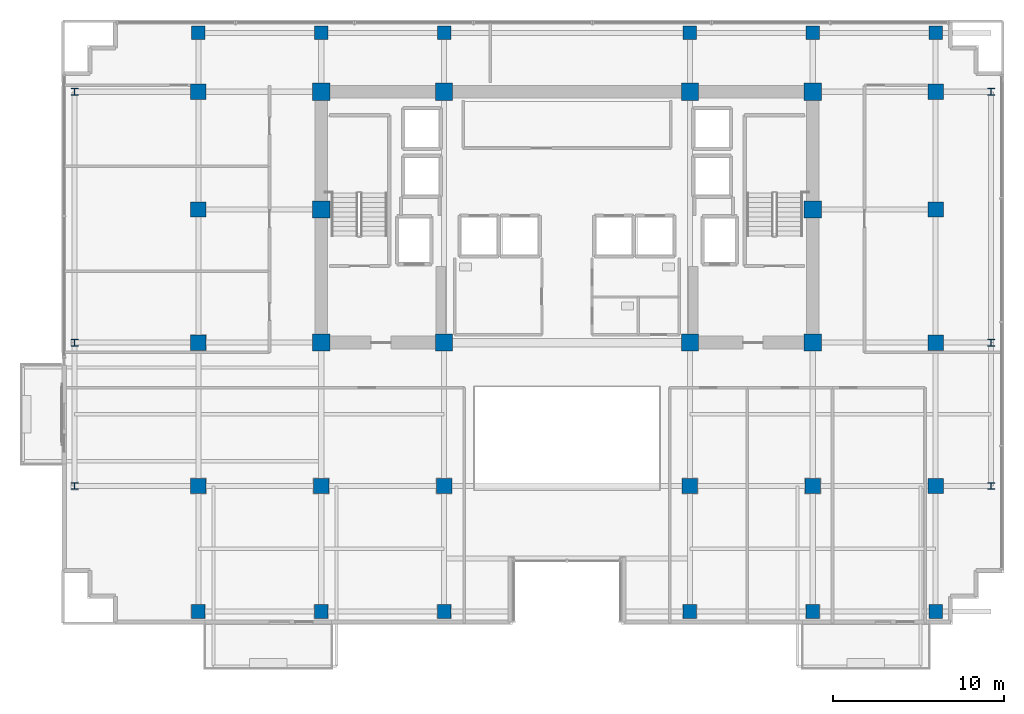
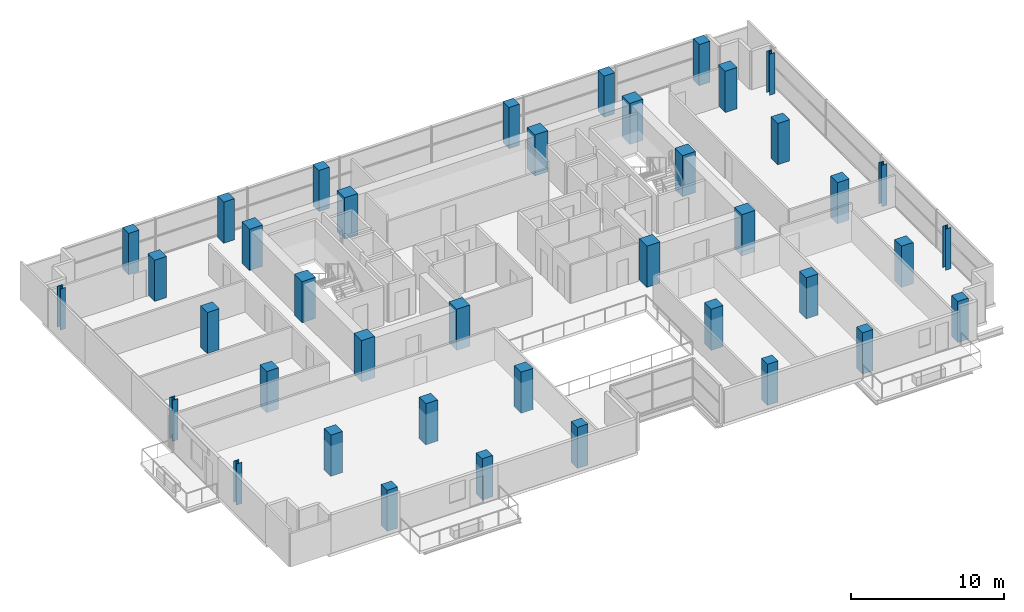
# One storey, part 1 of 28: 40 columns.
"""IFC4 building model written with IfcOpenShell, lengths in metres."""

from ifc_helpers import new_model, si_unit, direction, frame, origin, origin_2d, place, context, subcontext, project, spatial, rectangle, i_section, extrude, material, material_profile, profile_set, type_object, element, save


model = new_model("IFC4")

# Units and contexts
model_context = context("Model", 3, precision=1e-05, world=origin(), true_north=direction((0.0, 1.0)))
body_context = subcontext(model_context, "Body", "Model", "MODEL_VIEW")
ifc_project = project(units=[si_unit("LENGTHUNIT", "METRE"), si_unit("AREAUNIT", "SQUARE_METRE"), si_unit("VOLUMEUNIT", "CUBIC_METRE"), si_unit("PLANEANGLEUNIT", "RADIAN"), si_unit("MASSUNIT", "GRAM", prefix="KILO")], contexts=[model_context])

# Site, building, storey
site_placement = place(None, origin())
site = spatial("IfcSite", under=ifc_project, at=site_placement, CompositionType="ELEMENT")
building_placement = place(site_placement, origin())
building = spatial("IfcBuilding", under=site, at=building_placement, Name="Zarnakvel Exchange Tower", CompositionType="ELEMENT")
storey_placement = place(building_placement, frame((0.0, 0.0, 109.89990234375)))
storey = spatial("IfcBuildingStorey", under=building, at=storey_placement, Name="L30", CompositionType="ELEMENT", Elevation=109.89990234375)

# Columns
ifc_material_1 = material(Name="Concrete C60/75", Category="concrete")
ifc_material_profile_1 = material_profile(ifc_material_1, rectangle(XDim=1.0, YDim=1.0, at=origin_2d()))
ifc_profile_set_1 = profile_set([ifc_material_profile_1], Name="Concrete C60/75")
column_type_1 = type_object("IfcColumnType", Name="CC-02", PredefinedType="COLUMN", material=ifc_profile_set_1)
for number, where, z_axis, x_axis, name in (
    (1, (-14.39990234375, -1.199951171875, 0.0), (0.0, 0.0, 1.0), (1.0, 0.0, 0.0), "L30 Column C-4D (CC-02)"),
    (2, (-7.199951171875, -1.199951171875, 0.0), (0.0, 0.0, 1.0), (1.0, 0.0, 0.0), "L30 Column C-5D (CC-02)"),
    (3, (7.199951171875, -1.199951171875, 0.0), (0.0, 0.0, 1.0), (1.0, 0.0, 0.0), "L30 Column C-8D (CC-02)"),
    (4, (14.39990234375, -1.199951171875, 0.0), (0.0, 0.0, 1.0), (1.0, 0.0, 0.0), "L30 Column C-9D (CC-02)"),
    (5, (-14.39990234375, 6.60009765625, 0.0), (0.0, 0.0, 1.0), (1.0, 0.0, 0.0), "L30 Column C-4E (CC-02)"),
    (6, (14.39990234375, 6.60009765625, 0.0), (0.0, 0.0, 1.0), (1.0, 0.0, 0.0), "L30 Column C-9E (CC-02)"),
    (7, (-14.39990234375, 13.5, 0.0), (0.0, 0.0, 1.0), (1.0, 0.0, 0.0), "L30 Column C-4F (CC-02)"),
    (8, (-7.199951171875, 13.5, 0.0), (0.0, 0.0, 1.0), (1.0, 0.0, 0.0), "L30 Column C-5F (CC-02)"),
    (9, (7.199951171875, 13.5, 0.0), (0.0, 0.0, 1.0), (1.0, 0.0, 0.0), "L30 Column C-8F (CC-02)"),
    (10, (14.39990234375, 13.5, 0.0), (0.0, 0.0, 1.0), (1.0, 0.0, 0.0), "L30 Column C-9F (CC-02)"),
):
    element("IfcColumn", number, at=place(storey_placement, frame(where, z_axis=z_axis, x_axis=x_axis)), inside=storey, type_object=column_type_1, Name=name, PredefinedType="COLUMN", context=body_context, shape_type="SweptSolid", body=[
        extrude(rectangle(XDim=1.0, YDim=1.0, at=origin_2d()), origin(), (0.0, 0.0, 1.0), 3.300048828125),
    ])
ifc_material_2 = material(Name="Steel S355", Category="steel")
ifc_material_profile_2 = material_profile(ifc_material_2, i_section(OverallWidth=0.404052734375, OverallDepth=0.406982421875, WebThickness=0.0224609375, FlangeThickness=0.031982421875, FilletRadius=0.014892578125, at=origin_2d()))
ifc_profile_set_2 = profile_set([ifc_material_profile_2], Name="Steel S355")
column_type_2 = type_object("IfcColumnType", Name="SC-02", PredefinedType="COLUMN", material=ifc_profile_set_2)
for number, where, z_axis, x_axis, name in (
    (11, (-28.85009765625, -9.60009765625, 0.0), (0.0, 0.0, 1.0), (1.0, 0.0, 0.0), "L30 Column TW-C (SC-02)"),
    (12, (24.85009765625, -9.60009765625, 0.0), (0.0, 0.0, 1.0), (1.0, 0.0, 0.0), "L30 Column TE-C (SC-02)"),
    (13, (-28.85009765625, -1.199951171875, 0.0), (0.0, 0.0, 1.0), (1.0, 0.0, 0.0), "L30 Column TW-D (SC-02)"),
    (14, (24.85009765625, -1.199951171875, 0.0), (0.0, 0.0, 1.0), (1.0, 0.0, 0.0), "L30 Column TE-D (SC-02)"),
    (15, (-28.85009765625, 13.5, 0.0), (0.0, 0.0, 1.0), (1.0, 0.0, 0.0), "L30 Column TW-F (SC-02)"),
    (16, (24.85009765625, 13.5, 0.0), (0.0, 0.0, 1.0), (1.0, 0.0, 0.0), "L30 Column TE-F (SC-02)"),
):
    element("IfcColumn", number, at=place(storey_placement, frame(where, z_axis=z_axis, x_axis=x_axis)), inside=storey, type_object=column_type_2, Name=name, PredefinedType="COLUMN", context=body_context, shape_type="SweptSolid", body=[
        extrude(i_section(OverallWidth=0.404052734375, OverallDepth=0.406982421875, WebThickness=0.0224609375, FlangeThickness=0.031982421875, FilletRadius=0.014892578125, at=origin_2d()), origin(), (0.0, 0.0, 1.0), 3.300048828125),
    ])
ifc_material_profile_3 = material_profile(ifc_material_1, rectangle(XDim=0.89990234375, YDim=0.89990234375, at=origin_2d()))
ifc_profile_set_3 = profile_set([ifc_material_profile_3], Name="Concrete C60/75")
column_type_3 = type_object("IfcColumnType", Name="TC-02", PredefinedType="COLUMN", material=ifc_profile_set_3)
for number, where, z_axis, x_axis, name in (
    (17, (-14.39990234375, -9.60009765625, 0.0), (0.0, 0.0, 1.0), (1.0, 0.0, 0.0), "L30 Column T-4C (TC-02)"),
    (18, (-7.199951171875, -9.60009765625, 0.0), (0.0, 0.0, 1.0), (1.0, 0.0, 0.0), "L30 Column T-5C (TC-02)"),
    (19, (7.199951171875, -9.60009765625, 0.0), (0.0, 0.0, 1.0), (1.0, 0.0, 0.0), "L30 Column T-8C (TC-02)"),
    (20, (14.39990234375, -9.60009765625, 0.0), (0.0, 0.0, 1.0), (1.0, 0.0, 0.0), "L30 Column T-9C (TC-02)"),
    (21, (-21.60009765625, -9.60009765625, 0.0), (0.0, 0.0, 1.0), (1.0, 0.0, 0.0), "L30 Column T-3C (TC-02)"),
    (22, (-21.60009765625, -1.199951171875, 0.0), (0.0, 0.0, 1.0), (1.0, 0.0, 0.0), "L30 Column T-3D (TC-02)"),
    (23, (-21.60009765625, 6.60009765625, 0.0), (0.0, 0.0, 1.0), (1.0, 0.0, 0.0), "L30 Column T-3E (TC-02)"),
    (24, (-21.60009765625, 13.5, 0.0), (0.0, 0.0, 1.0), (1.0, 0.0, 0.0), "L30 Column T-3F (TC-02)"),
    (25, (21.60009765625, -9.60009765625, 0.0), (0.0, 0.0, 1.0), (1.0, 0.0, 0.0), "L30 Column T-10C (TC-02)"),
    (26, (21.60009765625, -1.199951171875, 0.0), (0.0, 0.0, 1.0), (1.0, 0.0, 0.0), "L30 Column T-10D (TC-02)"),
    (27, (21.60009765625, 6.60009765625, 0.0), (0.0, 0.0, 1.0), (1.0, 0.0, 0.0), "L30 Column T-10E (TC-02)"),
    (28, (21.60009765625, 13.5, 0.0), (0.0, 0.0, 1.0), (1.0, 0.0, 0.0), "L30 Column T-10F (TC-02)"),
):
    element("IfcColumn", number, at=place(storey_placement, frame(where, z_axis=z_axis, x_axis=x_axis)), inside=storey, type_object=column_type_3, Name=name, PredefinedType="COLUMN", context=body_context, shape_type="SweptSolid", body=[
        extrude(rectangle(XDim=0.89990234375, YDim=0.89990234375, at=origin_2d()), origin(), (0.0, 0.0, 1.0), 3.300048828125),
    ])
ifc_material_profile_4 = material_profile(ifc_material_1, rectangle(XDim=0.800048828125, YDim=0.800048828125, at=origin_2d()))
ifc_profile_set_4 = profile_set([ifc_material_profile_4], Name="Concrete C60/75")
column_type_4 = type_object("IfcColumnType", Name="TC-03", PredefinedType="COLUMN", material=ifc_profile_set_4)
for number, where, z_axis, x_axis, name in (
    (29, (-14.39990234375, -16.949951171875, 0.0), (0.0, 0.0, 1.0), (1.0, 0.0, 0.0), "L30 Column TS-4 (TC-03)"),
    (30, (-14.39990234375, 16.949951171875, 0.0), (0.0, 0.0, 1.0), (1.0, 0.0, 0.0), "L30 Column TN-4 (TC-03)"),
    (31, (-7.199951171875, -16.949951171875, 0.0), (0.0, 0.0, 1.0), (1.0, 0.0, 0.0), "L30 Column TS-5 (TC-03)"),
    (32, (-7.199951171875, 16.949951171875, 0.0), (0.0, 0.0, 1.0), (1.0, 0.0, 0.0), "L30 Column TN-5 (TC-03)"),
    (33, (7.199951171875, -16.949951171875, 0.0), (0.0, 0.0, 1.0), (1.0, 0.0, 0.0), "L30 Column TS-8 (TC-03)"),
    (34, (7.199951171875, 16.949951171875, 0.0), (0.0, 0.0, 1.0), (1.0, 0.0, 0.0), "L30 Column TN-8 (TC-03)"),
    (35, (14.39990234375, -16.949951171875, 0.0), (0.0, 0.0, 1.0), (1.0, 0.0, 0.0), "L30 Column TS-9 (TC-03)"),
    (36, (14.39990234375, 16.949951171875, 0.0), (0.0, 0.0, 1.0), (1.0, 0.0, 0.0), "L30 Column TN-9 (TC-03)"),
    (37, (-21.60009765625, -16.949951171875, 0.0), (0.0, 0.0, 1.0), (1.0, 0.0, 0.0), "L30 Column TS-3 (TC-03)"),
    (38, (-21.60009765625, 16.949951171875, 0.0), (0.0, 0.0, 1.0), (1.0, 0.0, 0.0), "L30 Column TN-3 (TC-03)"),
    (39, (21.60009765625, -16.949951171875, 0.0), (0.0, 0.0, 1.0), (1.0, 0.0, 0.0), "L30 Column TS-10 (TC-03)"),
    (40, (21.60009765625, 16.949951171875, 0.0), (0.0, 0.0, 1.0), (1.0, 0.0, 0.0), "L30 Column TN-10 (TC-03)"),
):
    element("IfcColumn", number, at=place(storey_placement, frame(where, z_axis=z_axis, x_axis=x_axis)), inside=storey, type_object=column_type_4, Name=name, PredefinedType="COLUMN", context=body_context, shape_type="SweptSolid", body=[
        extrude(rectangle(XDim=0.800048828125, YDim=0.800048828125, at=origin_2d()), origin(), (0.0, 0.0, 1.0), 3.300048828125),
    ])

save(model, "model.ifc")
